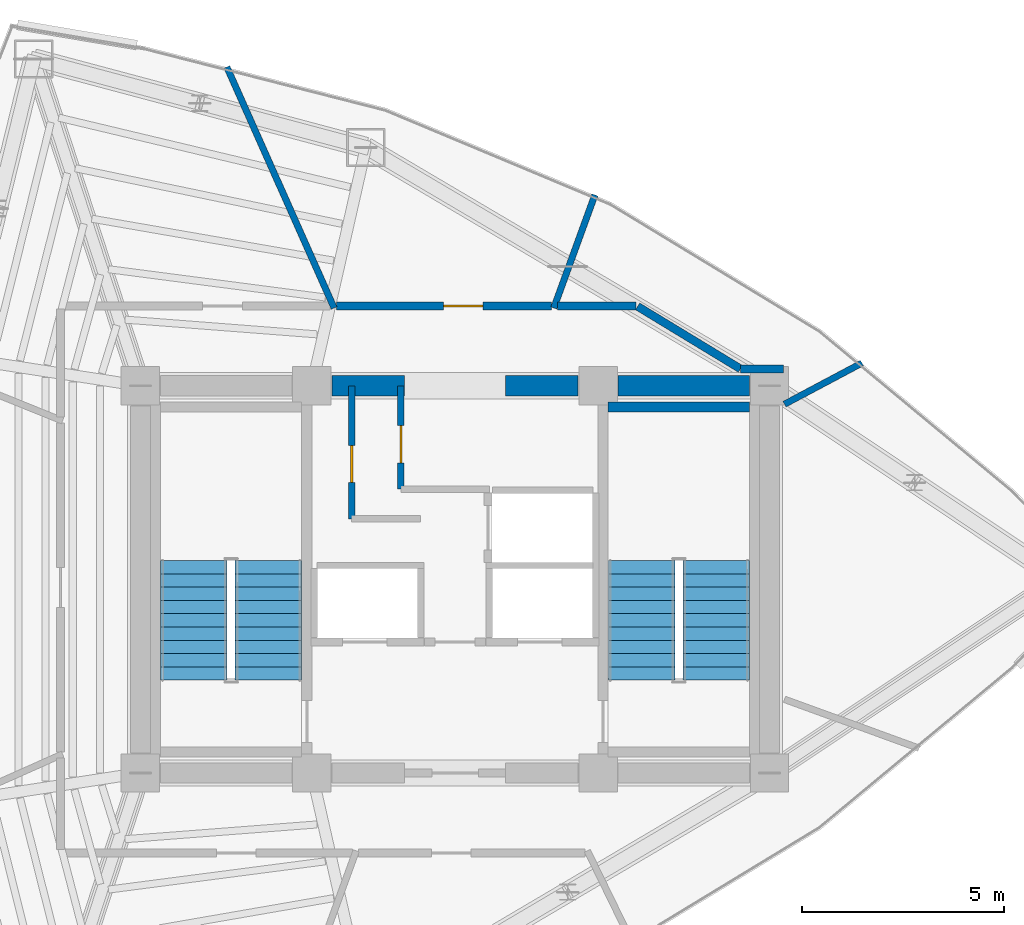
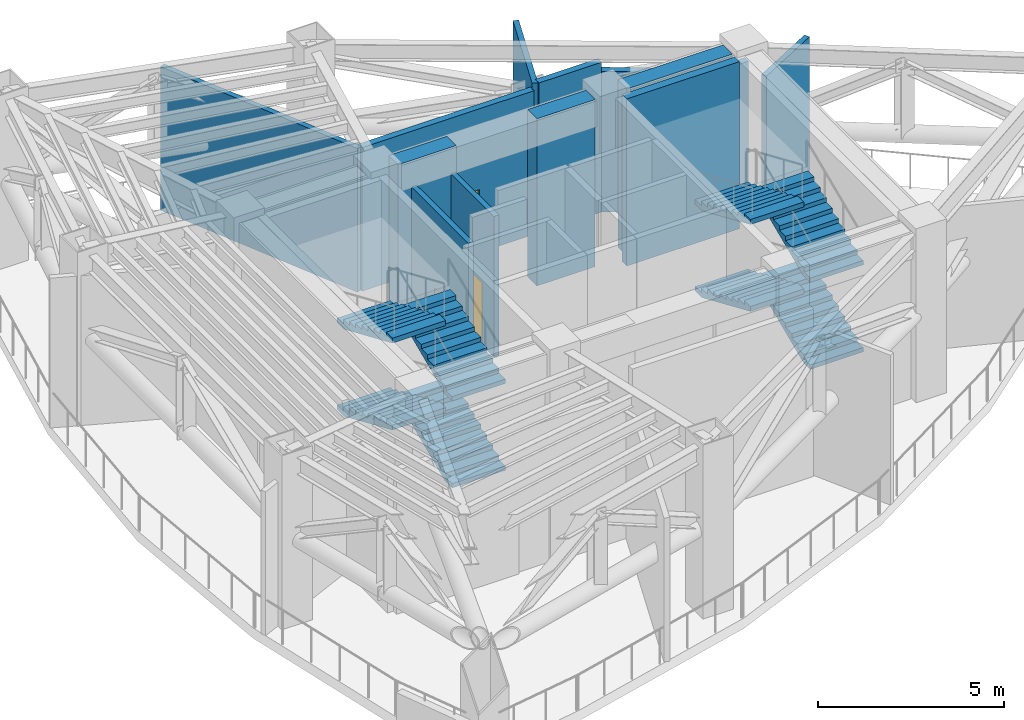
# One storey, part 4 of 6: 13 walls, 8 stair flights, 3 doors, 3 openings, 2 elements without a shape of their own.
"""IFC4 building model written with IfcOpenShell, lengths in metres."""

from ifc_helpers import new_model, si_unit, direction, frame, frame_2d, origin, place, context, subcontext, project, spatial, polyline, rectangle, outline, extrude, material, layer, layer_set, type_object, element, fill, aggregate, save


model = new_model("IFC4")

# Units and contexts
model_context = context("Model", 3, precision=1e-05, world=origin(), true_north=direction((0.0, 1.0)))
body_context = subcontext(model_context, "Body", "Model", "MODEL_VIEW")
ifc_project = project(units=[si_unit("LENGTHUNIT", "METRE"), si_unit("AREAUNIT", "SQUARE_METRE"), si_unit("VOLUMEUNIT", "CUBIC_METRE"), si_unit("PLANEANGLEUNIT", "RADIAN"), si_unit("MASSUNIT", "GRAM", prefix="KILO")], contexts=[model_context])

# Site, building, storey
site_placement = place(None, origin())
site = spatial("IfcSite", under=ifc_project, at=site_placement, CompositionType="ELEMENT")
building_placement = place(site_placement, origin())
building = spatial("IfcBuilding", under=site, at=building_placement, Name="Menara Vayukalpa", CompositionType="ELEMENT")
storey_placement = place(building_placement, frame((0.0, 0.0, 213.840087890625)))
storey = spatial("IfcBuildingStorey", under=building, at=storey_placement, Name="L54", CompositionType="ELEMENT", Elevation=213.840087890625)

# Walls
ifc_material_1 = material(Name="Concrete C60/75", Category="concrete")
ifc_layer_1 = layer(ifc_material_1, 0.5)
ifc_layer_set_1 = layer_set([ifc_layer_1], Name="Concrete C60/75")
wall_type_1 = type_object("IfcWallType", Name="WAL-CW500", PredefinedType="SHEAR", material=ifc_layer_set_1)
wall_1_placement = place(storey_placement, frame((22.544921875, 26.800048828125, 0.0), z_axis=(0.0, 0.0, 1.0), x_axis=(1.0, 0.0, 0.0)))
element("IfcWall", 1, at=wall_1_placement, inside=storey, type_object=wall_type_1, Name="L54 Buttressed Core Shear Wall CWN2", PredefinedType="SHEAR", context=body_context, shape_type="SweptSolid", body=[
    extrude(rectangle(XDim=1.80517578125, YDim=0.5, at=frame_2d((0.902587890625, 0.0))), origin(), (0.0, 0.0, 1.0), 5.47998046875),
])
wall_2_placement = place(storey_placement, frame((26.85009765625, 26.800048828125, 0.0), z_axis=(0.0, 0.0, 1.0), x_axis=(1.0, 0.0, 0.0)))
element("IfcWall", 2, at=wall_2_placement, inside=storey, type_object=wall_type_1, Name="L54 Buttressed Core Shear Wall CWN3", PredefinedType="SHEAR", context=body_context, shape_type="SweptSolid", body=[
    extrude(rectangle(XDim=1.804931640625, YDim=0.5, at=frame_2d((0.90234375, 0.0))), origin(), (0.0, 0.0, 1.0), 5.47998046875),
])
wall_3_placement = place(storey_placement, frame((29.64501953125, 26.800048828125, 0.0), z_axis=(0.0, 0.0, 1.0), x_axis=(1.0, 0.0, 0.0)))
element("IfcWall", 3, at=wall_3_placement, inside=storey, type_object=wall_type_1, Name="L54 Buttressed Core Shear Wall CWN4", PredefinedType="SHEAR", context=body_context, shape_type="SweptSolid", body=[
    extrude(rectangle(XDim=3.260009765625, YDim=0.5, at=frame_2d((1.6298828125, 0.0))), origin(), (0.0, 0.0, 1.0), 5.47998046875),
])

# Wall, opening, door
ifc_material_2 = material(Name="Lightweight Concrete Blockwork C16/20", Category="masonry")
ifc_layer_2 = layer(ifc_material_2, 0.159912109375)
ifc_layer_set_2 = layer_set([ifc_layer_2], Name="Lightweight Concrete Blockwork C16/20")
wall_type_2 = type_object("IfcWallType", Name="WAL-FR150", PredefinedType="PARTITIONING", material=ifc_layer_set_2)
wall_4_placement = place(storey_placement, frame((23.0400390625, 23.5, 0.0), z_axis=(0.0, 0.0, 1.0), x_axis=(0.0, 1.0, 0.0)))
wall_4 = element("IfcWall", 4, at=wall_4_placement, inside=storey, type_object=wall_type_2, Name="L54 Interior Partition IW-L54-LV7WB", PredefinedType="PARTITIONING", context=body_context, shape_type="SweptSolid", body=[
    extrude(rectangle(XDim=3.300048828125, YDim=0.159912109375, at=frame_2d((1.64990234375, 0.0))), origin(), (0.0, 0.0, 1.0), 4.60986328125),
])
opening_1_placement = place(wall_4_placement, frame((0.89990234375, 0.0, 0.0)))
opening_1 = element("IfcOpeningElement", 5, at=opening_1_placement, cuts=wall_4, Name="Opening ID6", PredefinedType="OPENING", context=body_context, shape_type="SweptSolid", body=[
    extrude(rectangle(XDim=0.919921875, YDim=2.050048828125, at=frame_2d((0.4599609375, 1.02490234375))), frame((0.0, 0.08984375, 0.0), z_axis=(0.0, -1.0, 0.0), x_axis=(1.0, 0.0, 0.0)), (0.0, 0.0, 1.0), 0.179931640625),
])
ifc_material_3 = material(Name="Acoustic Hardwood Veneer Timber Door", Category="wood")
door_type_1 = type_object("IfcDoorType", Name="DR-INT92", OperationType="NOTDEFINED", PredefinedType="DOOR", material=ifc_material_3)
door_1_placement = place(opening_1_placement, origin())
door_1 = element("IfcDoor", 6, at=door_1_placement, inside=storey, type_object=door_type_1, Name="L54 Interior Door DR-L54-LV7W", OperationType="SINGLE_SWING_LEFT", OverallHeight=2.050048828125, OverallWidth=0.919921875, PredefinedType="DOOR", context=body_context, shape_type="SweptSolid", body=[
    extrude(rectangle(XDim=0.919921875, YDim=2.050048828125, at=frame_2d((0.4599609375, 1.02490234375))), frame((0.0, 0.02490234375, 0.0), z_axis=(0.0, -1.0, 0.0), x_axis=(1.0, 0.0, 0.0)), (0.0, 0.0, 1.0), 0.050048828125),
])
fill(opening_1, door_1)

wall_5_placement = place(storey_placement, frame((24.260009765625, 24.239990234375, 0.0), z_axis=(0.0, 0.0, 1.0), x_axis=(0.0, 1.0, 0.0)))
wall_5 = element("IfcWall", 7, at=wall_5_placement, inside=storey, type_object=wall_type_2, Name="L54 Interior Partition IW-L54-LV7EB", PredefinedType="PARTITIONING", context=body_context, shape_type="SweptSolid", body=[
    extrude(rectangle(XDim=2.56005859375, YDim=0.159912109375, at=frame_2d((1.280029296875, 0.0))), origin(), (0.0, 0.0, 1.0), 4.60986328125),
])
opening_2_placement = place(wall_5_placement, frame((0.64990234375, 0.0, 0.0)))
opening_2 = element("IfcOpeningElement", 8, at=opening_2_placement, cuts=wall_5, Name="Opening ID6", PredefinedType="OPENING", context=body_context, shape_type="SweptSolid", body=[
    extrude(rectangle(XDim=0.919921875, YDim=2.050048828125, at=frame_2d((0.4599609375, 1.02490234375))), frame((0.0, 0.08984375, 0.0), z_axis=(0.0, -1.0, 0.0), x_axis=(1.0, 0.0, 0.0)), (0.0, 0.0, 1.0), 0.179931640625),
])
door_2_placement = place(opening_2_placement, origin())
door_2 = element("IfcDoor", 9, at=door_2_placement, inside=storey, type_object=door_type_1, Name="L54 Interior Door DR-L54-LV7E", OperationType="SINGLE_SWING_RIGHT", OverallHeight=2.050048828125, OverallWidth=0.919921875, PredefinedType="DOOR", context=body_context, shape_type="SweptSolid", body=[
    extrude(rectangle(XDim=0.919921875, YDim=2.050048828125, at=frame_2d((0.4599609375, 1.02490234375))), frame((0.0, 0.02490234375, 0.0), z_axis=(0.0, -1.0, 0.0), x_axis=(1.0, 0.0, 0.0)), (0.0, 0.0, 1.0), 0.050048828125),
])
fill(opening_2, door_2)

# Walls
wall_6_placement = place(storey_placement, frame((33.77001953125, 26.343994140625, 0.0), z_axis=(0.0, 0.0, 1.0), x_axis=(0.882914984083, 0.469532885837, 0.0)))
element("IfcWall", 10, at=wall_6_placement, inside=storey, type_object=wall_type_2, Name="L54 Interior Partition IW-L54-RDIV01", PredefinedType="PARTITIONING", context=body_context, shape_type="SweptSolid", body=[
    extrude(rectangle(XDim=2.174072265625, YDim=0.159912109375, at=frame_2d((1.0869140625, 0.0))), origin(), (0.0, 0.0, 1.0), 4.60986328125),
])
wall_7_placement = place(storey_placement, frame((28.049560546875, 28.72998046875, 0.0), z_axis=(0.0, 0.0, 1.0), x_axis=(0.342045419989, 0.939683420448, 0.0)))
element("IfcWall", 11, at=wall_7_placement, inside=storey, type_object=wall_type_2, Name="L54 Interior Partition IW-L54-RDIV02", PredefinedType="PARTITIONING", context=body_context, shape_type="SweptSolid", body=[
    extrude(rectangle(XDim=2.982177734375, YDim=0.159912109375, at=frame_2d((1.4912109375, 0.0))), origin(), (0.0, 0.0, 1.0), 4.909912109375),
])
wall_8_placement = place(storey_placement, frame((22.603515625, 28.72998046875, 0.0), z_axis=(0.0, 0.0, 1.0), x_axis=(-0.406720230642, 0.913552764752, 0.0)))
element("IfcWall", 12, at=wall_8_placement, inside=storey, type_object=wall_type_2, Name="L54 Interior Partition IW-L54-RDIV03", PredefinedType="PARTITIONING", context=body_context, shape_type="SweptSolid", body=[
    extrude(rectangle(XDim=6.54052734375, YDim=0.159912109375, at=frame_2d((3.270263671875, 0.0))), origin(), (0.0, 0.0, 1.0), 4.7099609375),
])
ifc_material_4 = material(Name="Lightweight Concrete Blockwork C16/20", Category="masonry")
ifc_layer_3 = layer(ifc_material_4, 0.199951171875)
ifc_layer_set_3 = layer_set([ifc_layer_3], Name="Lightweight Concrete Blockwork C16/20")
wall_type_3 = type_object("IfcWallType", Name="WAL-FR200", PredefinedType="PARTITIONING", material=ifc_layer_set_3)
wall_9_placement = place(storey_placement, frame((33.739990234375, 27.219970703125, 0.0), z_axis=(0.0, 0.0, 1.0), x_axis=(-1.0, 0.0, 0.0)))
element("IfcWall", 13, at=wall_9_placement, inside=storey, type_object=wall_type_3, Name="L54 Interior Partition IW-L54-CRM06-1", PredefinedType="PARTITIONING", context=body_context, shape_type="SweptSolid", body=[
    extrude(rectangle(XDim=1.0625, YDim=0.199951171875, at=frame_2d((0.53125, 0.0))), origin(), (0.0, 0.0, 1.0), 4.60986328125),
])
wall_10_placement = place(storey_placement, frame((32.677490234375, 27.219970703125, 0.0), z_axis=(0.0, 0.0, 1.0), x_axis=(-0.854662977584, 0.519183199601, 0.0)))
element("IfcWall", 14, at=wall_10_placement, inside=storey, type_object=wall_type_3, Name="L54 Interior Partition IW-L54-CRM06-2", PredefinedType="PARTITIONING", context=body_context, shape_type="SweptSolid", body=[
    extrude(rectangle(XDim=2.982177734375, YDim=0.199951171875, at=frame_2d((1.4912109375, 0.0))), origin(), (0.0, 0.0, 1.0), 4.60986328125),
])
wall_11_placement = place(storey_placement, frame((30.087158203125, 28.780029296875, 0.0), z_axis=(0.0, 0.0, 1.0), x_axis=(-1.0, 0.0, 0.0)))
element("IfcWall", 15, at=wall_11_placement, inside=storey, type_object=wall_type_3, Name="L54 Interior Partition IW-L54-CRM06-3", PredefinedType="PARTITIONING", context=body_context, shape_type="SweptSolid", body=[
    extrude(rectangle(XDim=1.945068359375, YDim=0.199951171875, at=frame_2d((0.97265625, 0.0))), origin(), (0.0, 0.0, 1.0), 4.909912109375),
])

# Wall, opening, door
wall_12_placement = place(storey_placement, frame((27.9931640625, 28.780029296875, 0.0), z_axis=(0.0, 0.0, 1.0), x_axis=(-1.0, 0.0, 0.0)))
wall_12 = element("IfcWall", 16, at=wall_12_placement, inside=storey, type_object=wall_type_3, Name="L54 Interior Partition IW-L54-CRM07-1", PredefinedType="PARTITIONING", context=body_context, shape_type="SweptSolid", body=[
    extrude(rectangle(XDim=5.335205078125, YDim=0.199951171875, at=frame_2d((2.66748046875, 0.0))), origin(), (0.0, 0.0, 1.0), 4.7099609375),
])
opening_3_placement = place(wall_12_placement, frame((1.703125, 0.0, 0.0)))
opening_3 = element("IfcOpeningElement", 17, at=opening_3_placement, cuts=wall_12, Name="Opening ID3", PredefinedType="OPENING", context=body_context, shape_type="SweptSolid", body=[
    extrude(rectangle(XDim=0.97998046875, YDim=2.06005859375, at=frame_2d((0.489990234375, 1.030029296875))), frame((0.0, 0.10986328125, 0.0), z_axis=(0.0, -1.0, 0.0), x_axis=(1.0, 0.0, 0.0)), (0.0, 0.0, 1.0), 0.219970703125),
])
ifc_material_5 = material(Name="Fire-Rated Powder-Coated Steel Door", Category="steel")
door_type_2 = type_object("IfcDoorType", Name="DR-FD60", OperationType="NOTDEFINED", PredefinedType="DOOR", material=ifc_material_5)
door_3_placement = place(opening_3_placement, origin())
door_3 = element("IfcDoor", 18, at=door_3_placement, inside=storey, type_object=door_type_2, Name="L54 Interior Door DR-L54-RM07", OperationType="SINGLE_SWING_RIGHT", OverallHeight=2.06005859375, OverallWidth=0.97998046875, PredefinedType="DOOR", context=body_context, shape_type="SweptSolid", body=[
    extrude(rectangle(XDim=0.97998046875, YDim=2.06005859375, at=frame_2d((0.489990234375, 1.030029296875))), frame((0.0, 0.02490234375, 0.0), z_axis=(0.0, -1.0, 0.0), x_axis=(1.0, 0.0, 0.0)), (0.0, 0.0, 1.0), 0.050048828125),
])
fill(opening_3, door_3)

# Wall
ifc_material_6 = material(Name="Concrete C50/60", Category="concrete")
ifc_layer_4 = layer(ifc_material_6, 0.25)
ifc_layer_set_4 = layer_set([ifc_layer_4], Name="Concrete C50/60")
wall_type_4 = type_object("IfcWallType", Name="WAL-SW250", PredefinedType="SHEAR", material=ifc_layer_set_4)
wall_13_placement = place(storey_placement, frame((29.39990234375, 26.27490234375, 0.0), z_axis=(0.0, 0.0, 1.0), x_axis=(1.0, 0.0, 0.0)))
element("IfcWall", 19, at=wall_13_placement, inside=storey, type_object=wall_type_4, Name="L54 ST2 Structural Stair Shaft Wall N", PredefinedType="SHEAR", context=body_context, shape_type="SweptSolid", body=[
    extrude(rectangle(XDim=3.49609375, YDim=0.25, at=frame_2d((1.748046875, 0.0))), origin(), (0.0, 0.0, 1.0), 5.47998046875),
])

# Stair, stair flights
ifc_material_7 = material(Name="Precast Concrete C40/50", Category="concrete")
stair_type = type_object("IfcStairType", Name="STR-T05", PredefinedType="DOUBLE_RETURN_STAIR", material=ifc_material_7)
stair_1_placement = place(storey_placement, origin())
stair_1 = element("IfcStair", 20, at=stair_1_placement, inside=storey, type_object=stair_type, Name="L54 Core Exit Stair ST-1", PredefinedType="DOUBLE_RETURN_STAIR")
ifc_material_8 = material(Name="Precast Concrete C40/50", Category="concrete")
stair_flight_type = type_object("IfcStairFlightType", Name="STF-T05", PredefinedType="STRAIGHT", material=ifc_material_8)
stair_flight_1_placement = place(storey_placement, frame((20.97509765625, 19.5, 0.0), z_axis=(0.0, 0.0, 1.0), x_axis=(0.0, 1.0, 0.0)))
stair_flight_1 = element("IfcStairFlight", 21, at=stair_flight_1_placement, type_object=stair_flight_type, Name="ST-1 flight 1", NumberOfRisers=10, NumberOfTreads=9, PredefinedType="STRAIGHT", RiserHeight=0.1425, TreadLength=0.33, context=body_context, shape_type="SweptSolid", body=[
    extrude(outline(polyline([(0.0, 0.0), (0.0, 0.142578125), (0.330078125, 0.142578125), (0.330078125, 0.284912109375), (0.659912109375, 0.284912109375), (0.659912109375, 0.427490234375), (0.989990234375, 0.427490234375), (0.989990234375, 0.570068359375), (1.320068359375, 0.570068359375), (1.320068359375, 0.71240234375), (1.64990234375, 0.71240234375), (1.64990234375, 0.85498046875), (1.97998046875, 0.85498046875), (1.97998046875, 0.99755859375), (2.31005859375, 0.99755859375), (2.31005859375, 1.139892578125), (2.639892578125, 1.139892578125), (2.639892578125, 1.282470703125), (2.969970703125, 1.282470703125), (2.969970703125, 1.425048828125), (2.969970703125, 1.119140625), (0.378173828125, 0.0), (0.0, 0.0)])), frame((0.0, 0.824951171875, 0.0), z_axis=(0.0, -1.0, 0.0), x_axis=(1.0, 0.0, 0.0)), (0.0, 0.0, 1.0), 1.64990234375),
])
stair_flight_2_placement = place(storey_placement, frame((19.125, 22.469970703125, 1.4248046875), z_axis=(0.0, 0.0, 1.0), x_axis=(0.0, -1.0, 0.0)))
stair_flight_2 = element("IfcStairFlight", 22, at=stair_flight_2_placement, type_object=stair_flight_type, Name="ST-1 flight 2", NumberOfRisers=10, NumberOfTreads=9, PredefinedType="STRAIGHT", RiserHeight=0.1425, TreadLength=0.33, context=body_context, shape_type="SweptSolid", body=[
    extrude(outline(polyline([(0.0, 0.0), (0.0, 0.142578125), (0.330078125, 0.142578125), (0.330078125, 0.284912109375), (0.659912109375, 0.284912109375), (0.659912109375, 0.427490234375), (0.989990234375, 0.427490234375), (0.989990234375, 0.570068359375), (1.320068359375, 0.570068359375), (1.320068359375, 0.71240234375), (1.64990234375, 0.71240234375), (1.64990234375, 0.85498046875), (1.97998046875, 0.85498046875), (1.97998046875, 0.99755859375), (2.31005859375, 0.99755859375), (2.31005859375, 1.139892578125), (2.639892578125, 1.139892578125), (2.639892578125, 1.282470703125), (2.969970703125, 1.282470703125), (2.969970703125, 1.425048828125), (2.969970703125, 1.119140625), (0.378173828125, 0.0), (0.0, 0.0)])), frame((0.0, 0.824951171875, 0.0), z_axis=(0.0, -1.0, 0.0), x_axis=(1.0, 0.0, 0.0)), (0.0, 0.0, 1.0), 1.64990234375),
])
stair_flight_3_placement = place(storey_placement, frame((20.97509765625, 19.5, 2.849853515625), z_axis=(0.0, 0.0, 1.0), x_axis=(0.0, 1.0, 0.0)))
stair_flight_3 = element("IfcStairFlight", 23, at=stair_flight_3_placement, type_object=stair_flight_type, Name="ST-1 flight 3", NumberOfRisers=10, NumberOfTreads=9, PredefinedType="STRAIGHT", RiserHeight=0.1425, TreadLength=0.33, context=body_context, shape_type="SweptSolid", body=[
    extrude(outline(polyline([(0.0, 0.0), (0.0, 0.142578125), (0.330078125, 0.142578125), (0.330078125, 0.284912109375), (0.659912109375, 0.284912109375), (0.659912109375, 0.427490234375), (0.989990234375, 0.427490234375), (0.989990234375, 0.570068359375), (1.320068359375, 0.570068359375), (1.320068359375, 0.71240234375), (1.64990234375, 0.71240234375), (1.64990234375, 0.85498046875), (1.97998046875, 0.85498046875), (1.97998046875, 0.99755859375), (2.31005859375, 0.99755859375), (2.31005859375, 1.139892578125), (2.639892578125, 1.139892578125), (2.639892578125, 1.282470703125), (2.969970703125, 1.282470703125), (2.969970703125, 1.425048828125), (2.969970703125, 1.119140625), (0.378173828125, 0.0), (0.0, 0.0)])), frame((0.0, 0.824951171875, 0.0), z_axis=(0.0, -1.0, 0.0), x_axis=(1.0, 0.0, 0.0)), (0.0, 0.0, 1.0), 1.64990234375),
])
stair_flight_4_placement = place(storey_placement, frame((19.125, 22.469970703125, 4.27490234375), z_axis=(0.0, 0.0, 1.0), x_axis=(0.0, -1.0, 0.0)))
stair_flight_4 = element("IfcStairFlight", 24, at=stair_flight_4_placement, type_object=stair_flight_type, Name="ST-1 flight 4", NumberOfRisers=10, NumberOfTreads=9, PredefinedType="STRAIGHT", RiserHeight=0.1425, TreadLength=0.33, context=body_context, shape_type="SweptSolid", body=[
    extrude(outline(polyline([(0.0, 0.0), (0.0, 0.142578125), (0.330078125, 0.142578125), (0.330078125, 0.284912109375), (0.659912109375, 0.284912109375), (0.659912109375, 0.427490234375), (0.989990234375, 0.427490234375), (0.989990234375, 0.570068359375), (1.320068359375, 0.570068359375), (1.320068359375, 0.71240234375), (1.64990234375, 0.71240234375), (1.64990234375, 0.85498046875), (1.97998046875, 0.85498046875), (1.97998046875, 0.99755859375), (2.31005859375, 0.99755859375), (2.31005859375, 1.139892578125), (2.639892578125, 1.139892578125), (2.639892578125, 1.282470703125), (2.969970703125, 1.282470703125), (2.969970703125, 1.425048828125), (2.969970703125, 1.119140625), (0.378173828125, 0.0), (0.0, 0.0)])), frame((0.0, 0.824951171875, 0.0), z_axis=(0.0, -1.0, 0.0), x_axis=(1.0, 0.0, 0.0)), (0.0, 0.0, 1.0), 1.64990234375),
])
aggregate(stair_1, [stair_flight_1, stair_flight_2, stair_flight_3, stair_flight_4])

stair_2_placement = place(storey_placement, origin())
stair_2 = element("IfcStair", 25, at=stair_2_placement, inside=storey, type_object=stair_type, Name="L54 Core Exit Stair ST-2", PredefinedType="DOUBLE_RETURN_STAIR")
stair_flight_5_placement = place(storey_placement, frame((32.074951171875, 19.5, 0.0), z_axis=(0.0, 0.0, 1.0), x_axis=(0.0, 1.0, 0.0)))
stair_flight_5 = element("IfcStairFlight", 26, at=stair_flight_5_placement, type_object=stair_flight_type, Name="ST-2 flight 1", NumberOfRisers=10, NumberOfTreads=9, PredefinedType="STRAIGHT", RiserHeight=0.1425, TreadLength=0.33, context=body_context, shape_type="SweptSolid", body=[
    extrude(outline(polyline([(0.0, 0.0), (0.0, 0.142578125), (0.330078125, 0.142578125), (0.330078125, 0.284912109375), (0.659912109375, 0.284912109375), (0.659912109375, 0.427490234375), (0.989990234375, 0.427490234375), (0.989990234375, 0.570068359375), (1.320068359375, 0.570068359375), (1.320068359375, 0.71240234375), (1.64990234375, 0.71240234375), (1.64990234375, 0.85498046875), (1.97998046875, 0.85498046875), (1.97998046875, 0.99755859375), (2.31005859375, 0.99755859375), (2.31005859375, 1.139892578125), (2.639892578125, 1.139892578125), (2.639892578125, 1.282470703125), (2.969970703125, 1.282470703125), (2.969970703125, 1.425048828125), (2.969970703125, 1.119140625), (0.378173828125, 0.0), (0.0, 0.0)])), frame((0.0, 0.824951171875, 0.0), z_axis=(0.0, -1.0, 0.0), x_axis=(1.0, 0.0, 0.0)), (0.0, 0.0, 1.0), 1.64990234375),
])
stair_flight_6_placement = place(storey_placement, frame((30.22509765625, 22.469970703125, 1.4248046875), z_axis=(0.0, 0.0, 1.0), x_axis=(0.0, -1.0, 0.0)))
stair_flight_6 = element("IfcStairFlight", 27, at=stair_flight_6_placement, type_object=stair_flight_type, Name="ST-2 flight 2", NumberOfRisers=10, NumberOfTreads=9, PredefinedType="STRAIGHT", RiserHeight=0.1425, TreadLength=0.33, context=body_context, shape_type="SweptSolid", body=[
    extrude(outline(polyline([(0.0, 0.0), (0.0, 0.142578125), (0.330078125, 0.142578125), (0.330078125, 0.284912109375), (0.659912109375, 0.284912109375), (0.659912109375, 0.427490234375), (0.989990234375, 0.427490234375), (0.989990234375, 0.570068359375), (1.320068359375, 0.570068359375), (1.320068359375, 0.71240234375), (1.64990234375, 0.71240234375), (1.64990234375, 0.85498046875), (1.97998046875, 0.85498046875), (1.97998046875, 0.99755859375), (2.31005859375, 0.99755859375), (2.31005859375, 1.139892578125), (2.639892578125, 1.139892578125), (2.639892578125, 1.282470703125), (2.969970703125, 1.282470703125), (2.969970703125, 1.425048828125), (2.969970703125, 1.119140625), (0.378173828125, 0.0), (0.0, 0.0)])), frame((0.0, 0.824951171875, 0.0), z_axis=(0.0, -1.0, 0.0), x_axis=(1.0, 0.0, 0.0)), (0.0, 0.0, 1.0), 1.64990234375),
])
stair_flight_7_placement = place(storey_placement, frame((32.074951171875, 19.5, 2.849853515625), z_axis=(0.0, 0.0, 1.0), x_axis=(0.0, 1.0, 0.0)))
stair_flight_7 = element("IfcStairFlight", 28, at=stair_flight_7_placement, type_object=stair_flight_type, Name="ST-2 flight 3", NumberOfRisers=10, NumberOfTreads=9, PredefinedType="STRAIGHT", RiserHeight=0.1425, TreadLength=0.33, context=body_context, shape_type="SweptSolid", body=[
    extrude(outline(polyline([(0.0, 0.0), (0.0, 0.142578125), (0.330078125, 0.142578125), (0.330078125, 0.284912109375), (0.659912109375, 0.284912109375), (0.659912109375, 0.427490234375), (0.989990234375, 0.427490234375), (0.989990234375, 0.570068359375), (1.320068359375, 0.570068359375), (1.320068359375, 0.71240234375), (1.64990234375, 0.71240234375), (1.64990234375, 0.85498046875), (1.97998046875, 0.85498046875), (1.97998046875, 0.99755859375), (2.31005859375, 0.99755859375), (2.31005859375, 1.139892578125), (2.639892578125, 1.139892578125), (2.639892578125, 1.282470703125), (2.969970703125, 1.282470703125), (2.969970703125, 1.425048828125), (2.969970703125, 1.119140625), (0.378173828125, 0.0), (0.0, 0.0)])), frame((0.0, 0.824951171875, 0.0), z_axis=(0.0, -1.0, 0.0), x_axis=(1.0, 0.0, 0.0)), (0.0, 0.0, 1.0), 1.64990234375),
])
stair_flight_8_placement = place(storey_placement, frame((30.22509765625, 22.469970703125, 4.27490234375), z_axis=(0.0, 0.0, 1.0), x_axis=(0.0, -1.0, 0.0)))
stair_flight_8 = element("IfcStairFlight", 29, at=stair_flight_8_placement, type_object=stair_flight_type, Name="ST-2 flight 4", NumberOfRisers=10, NumberOfTreads=9, PredefinedType="STRAIGHT", RiserHeight=0.1425, TreadLength=0.33, context=body_context, shape_type="SweptSolid", body=[
    extrude(outline(polyline([(0.0, 0.0), (0.0, 0.142578125), (0.330078125, 0.142578125), (0.330078125, 0.284912109375), (0.659912109375, 0.284912109375), (0.659912109375, 0.427490234375), (0.989990234375, 0.427490234375), (0.989990234375, 0.570068359375), (1.320068359375, 0.570068359375), (1.320068359375, 0.71240234375), (1.64990234375, 0.71240234375), (1.64990234375, 0.85498046875), (1.97998046875, 0.85498046875), (1.97998046875, 0.99755859375), (2.31005859375, 0.99755859375), (2.31005859375, 1.139892578125), (2.639892578125, 1.139892578125), (2.639892578125, 1.282470703125), (2.969970703125, 1.282470703125), (2.969970703125, 1.425048828125), (2.969970703125, 1.119140625), (0.378173828125, 0.0), (0.0, 0.0)])), frame((0.0, 0.824951171875, 0.0), z_axis=(0.0, -1.0, 0.0), x_axis=(1.0, 0.0, 0.0)), (0.0, 0.0, 1.0), 1.64990234375),
])
aggregate(stair_2, [stair_flight_5, stair_flight_6, stair_flight_7, stair_flight_8])

save(model, "model.ifc")
